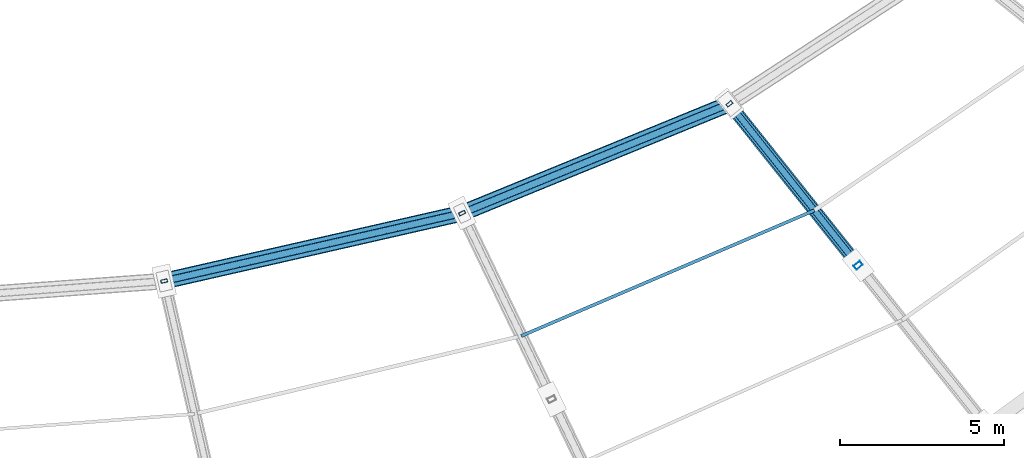
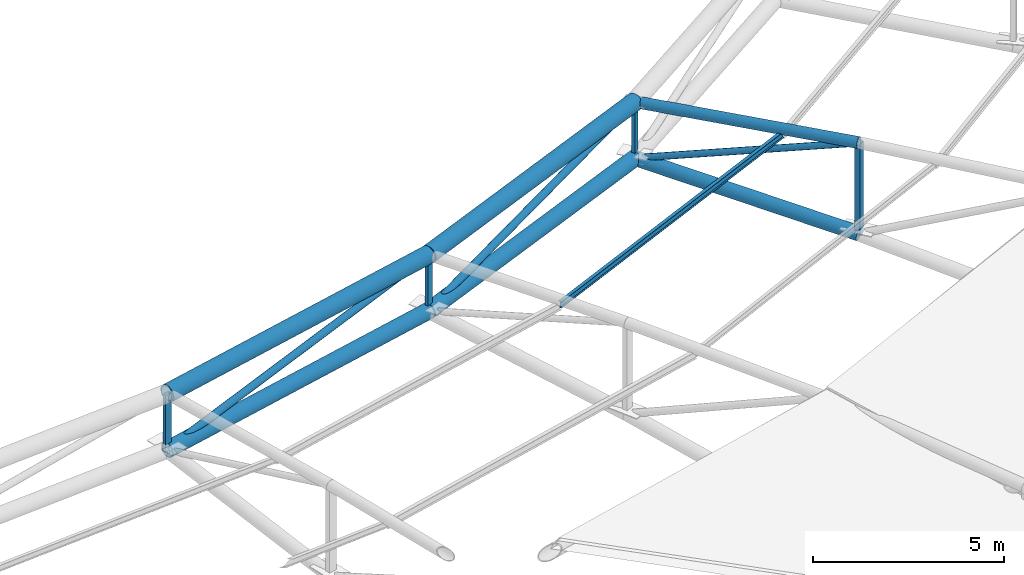
# One storey, part 27 of 108: 14 members.
"""IFC4 building model written with IfcOpenShell, lengths in metres."""

import ifcopenshell
import ifcopenshell.guid

model = None  # the IFC model being written
_history = None  # IfcOwnerHistory: only IFC2X3 demands one
_inside = {}  # id of a spatial element -> (the spatial element, [elements in it])
_under = {}  # id of a project, library or spatial element -> (it, [spatial elements below it])
_declared = {}  # id of a project -> (the project, [libraries it declares])
_typed = {}  # id of a type object -> (the type object, [elements of that type])
_made_of = {}  # id of a material, layer set ... -> (it, [elements and type objects made of it])


def new_model(schema):
    """Start an empty IFC model of exactly this schema.

    Asked for "IFC4X3", IfcOpenShell would pick the latest addendum, in which some entities
    have other attributes; the version numbers below select the first issue.
    IFC2X3 requires an IfcOwnerHistory on every rooted entity: one is made here for all.
    """
    global model, _history
    if schema == "IFC4X3":
        model = ifcopenshell.file(schema_version=(4, 3, 0, 0))
    else:
        model = ifcopenshell.file(schema=schema)
    _inside.clear()
    _under.clear()
    _declared.clear()
    _typed.clear()
    _made_of.clear()
    _history = None
    if model.schema == "IFC2X3":
        org = make("IfcOrganization", Name="unknown")
        user = make(
            "IfcPersonAndOrganization",
            ThePerson=make("IfcPerson", FamilyName="unknown"),
            TheOrganization=org,
        )
        app = make(
            "IfcApplication",
            ApplicationDeveloper=org,
            Version="unknown",
            ApplicationFullName="unknown",
            ApplicationIdentifier="unknown",
        )
        _history = make(
            "IfcOwnerHistory",
            OwningUser=user,
            OwningApplication=app,
            ChangeAction="ADDED",
            CreationDate=0,
        )
    return model


def make(cls, **values):
    """One entity of the class cls with the attributes given. An attribute that is None is left unset."""
    return model.create_entity(
        cls, **{name: value for name, value in values.items() if value is not None}
    )


def rooted(cls, **values):
    """An entity with a GlobalId (a new one), such as an element, a storey or a relation."""
    return make(cls, GlobalId=ifcopenshell.guid.new(), OwnerHistory=_history, **values)


def si_unit(unit_type, name, prefix=None):
    """IfcSIUnit, for example si_unit("LENGTHUNIT", "METRE", prefix="MILLI")."""
    return make("IfcSIUnit", UnitType=unit_type, Prefix=prefix, Name=name)


def assignment(units):
    """IfcUnitAssignment: the units of a project."""
    return None if units is None else make("IfcUnitAssignment", Units=units)


def point(xyz):
    """IfcCartesianPoint."""
    return None if xyz is None else make("IfcCartesianPoint", Coordinates=xyz)


def direction(xyz):
    """IfcDirection."""
    return None if xyz is None else make("IfcDirection", DirectionRatios=xyz)


def frame(location, z_axis=None, x_axis=None):
    """IfcAxis2Placement3D, a coordinate frame: its origin and axes. An axis left out is left unset."""
    return make(
        "IfcAxis2Placement3D",
        Location=point(location),
        Axis=direction(z_axis),
        RefDirection=direction(x_axis),
    )


def frame_2d(location, x_axis=None):
    """IfcAxis2Placement2D, a coordinate frame in the plane: its origin and x axis."""
    return make(
        "IfcAxis2Placement2D", Location=point(location), RefDirection=direction(x_axis)
    )


def origin():
    """The frame at (0, 0, 0) with its axes left unset."""
    return frame((0.0, 0.0, 0.0))


def origin_2d():
    """The frame at (0, 0) in the plane with its x axis left unset."""
    return frame_2d((0.0, 0.0))


def place(relative_to, where):
    """IfcLocalPlacement: puts the frame where relative to a parent placement (None: the world)."""
    return make(
        "IfcLocalPlacement", PlacementRelTo=relative_to, RelativePlacement=where
    )


def context(
    kind, dimensions, precision=None, world=None, true_north=None, identifier=None
):
    """IfcGeometricRepresentationContext, for example the 3D "Model" context."""
    return make(
        "IfcGeometricRepresentationContext",
        ContextIdentifier=identifier,
        ContextType=kind,
        CoordinateSpaceDimension=dimensions,
        Precision=precision,
        WorldCoordinateSystem=world,
        TrueNorth=true_north,
    )


def subcontext(parent, identifier, kind, view, scale=None):
    """IfcGeometricRepresentationSubContext, for example "Body" below "Model"."""
    return make(
        "IfcGeometricRepresentationSubContext",
        ContextIdentifier=identifier,
        ContextType=kind,
        ParentContext=parent,
        TargetScale=scale,
        TargetView=view,
    )


def project(units=None, contexts=None):
    """IfcProject with its units and contexts."""
    return rooted(
        "IfcProject",
        Name="project",
        RepresentationContexts=contexts,
        UnitsInContext=assignment(units),
    )


def spatial(cls, under=None, at=None, **own):
    """A site, building, storey or space (cls), placed at a placement, below another one or the project."""
    s = rooted(cls, ObjectPlacement=at, **own)
    if under is not None:
        _under.setdefault(under.id(), (under, []))[1].append(s)
    return s


def profile(cls, at=None, kind="AREA", **sizes):
    """A parametric profile (cls). Its sizes go by their IFC names, for example OverallWidth=200.0."""
    return make(cls, ProfileType=kind, Position=at, **sizes)


def hollow_rectangle(**sizes):
    """IfcRectangleHollowProfileDef."""
    return profile("IfcRectangleHollowProfileDef", **sizes)


def hollow_circle(**sizes):
    """IfcCircleHollowProfileDef."""
    return profile("IfcCircleHollowProfileDef", **sizes)


def i_section(**sizes):
    """IfcIShapeProfileDef."""
    return profile("IfcIShapeProfileDef", **sizes)


def extrude(swept, where, along, depth):
    """IfcExtrudedAreaSolid: the profile swept, set in the frame where, extruded along a direction by depth."""
    return make(
        "IfcExtrudedAreaSolid",
        SweptArea=swept,
        Position=where,
        ExtrudedDirection=direction(along),
        Depth=depth,
    )


def shape(context_of_items, identifier, shape_type, items):
    """IfcShapeRepresentation: the items that make up one representation, for example the "Body"."""
    return make(
        "IfcShapeRepresentation",
        ContextOfItems=context_of_items,
        RepresentationIdentifier=identifier,
        RepresentationType=shape_type,
        Items=items,
    )


def material(Name=None, Category=None):
    """IfcMaterial."""
    return make("IfcMaterial", Name=Name, Category=Category)


def material_profile(
    of_material, cross_section, Name=None, Category=None, Priority=None
):
    """IfcMaterialProfile: a cross section and its material."""
    return make(
        "IfcMaterialProfile",
        Name=Name,
        Material=of_material,
        Profile=cross_section,
        Priority=Priority,
        Category=Category,
    )


def profile_set(profiles, Name=None, composite=None):
    """IfcMaterialProfileSet."""
    return make(
        "IfcMaterialProfileSet",
        Name=Name,
        MaterialProfiles=profiles,
        CompositeProfile=composite,
    )


def made_of(thing, what):
    """Note that an element or type object is made of a material, layer set ...; save() writes the relation."""
    if what is not None:
        _made_of.setdefault(what.id(), (what, []))[1].append(thing)
    return thing


def type_object(cls, material=None, **own):
    """A type object (cls), such as IfcWallType, which elements share."""
    return made_of(rooted(cls, **own), material)


def element(
    cls,
    number,
    at=None,
    inside=None,
    cuts=None,
    type_object=None,
    material=None,
    context=None,
    identifier="Body",
    shape_type=None,
    held_by="IfcProductDefinitionShape",
    body=None,
    shapes=None,
    **own,
):
    """One element of the class cls, such as IfcWall. Its Tag is "e" and its number.

    at: its placement. inside: the storey or other place that contains it. cuts: it is an
    opening in that element (IfcRelVoidsElement). A single representation is given by context,
    identifier, shape_type and body (its items); several are given by shapes. held_by: the class
    of the entity that holds the representations. save() writes the other relations.
    """
    e = rooted(cls, Tag="e%d" % number, ObjectPlacement=at, **own)
    if body is not None:
        shapes = [shape(context, identifier, shape_type, body)]
    if shapes is not None:
        e.Representation = make(held_by, Representations=shapes)
    if inside is not None:
        _inside.setdefault(inside.id(), (inside, []))[1].append(e)
    if cuts is not None:
        rooted(
            "IfcRelVoidsElement", RelatingBuildingElement=cuts, RelatedOpeningElement=e
        )
    if type_object is not None:
        _typed.setdefault(type_object.id(), (type_object, []))[1].append(e)
    return made_of(e, material)


def aggregate(whole, parts):
    """IfcRelAggregates: a whole, such as a stair, and the parts it consists of."""
    return rooted("IfcRelAggregates", RelatingObject=whole, RelatedObjects=parts)


def save(model, path):
    """Write the relations noted so far, then the file.

    IfcRelAggregates (storeys below a building ...), IfcRelContainedInSpatialStructure (elements
    in a storey), IfcRelDefinesByType, IfcRelAssociatesMaterial and IfcRelDeclares: one each for
    every whole, place, type object, material and project.
    """
    for whole, parts in _under.values():
        aggregate(whole, parts)
    for where, things in _inside.values():
        rooted(
            "IfcRelContainedInSpatialStructure",
            RelatedElements=things,
            RelatingStructure=where,
        )
    for kind, things in _typed.values():
        rooted("IfcRelDefinesByType", RelatedObjects=things, RelatingType=kind)
    for what, things in _made_of.values():
        rooted("IfcRelAssociatesMaterial", RelatedObjects=things, RelatingMaterial=what)
    for by, libraries in _declared.values():
        rooted("IfcRelDeclares", RelatingContext=by, RelatedDefinitions=libraries)
    model.write(path)


model = new_model("IFC4")

# Units and contexts
model_context = context("Model", 3, precision=1e-05, world=origin(), true_north=direction((0.0, 1.0)))
body_context = subcontext(model_context, "Body", "Model", "MODEL_VIEW")
ifc_project = project(units=[si_unit("LENGTHUNIT", "METRE"), si_unit("AREAUNIT", "SQUARE_METRE"), si_unit("VOLUMEUNIT", "CUBIC_METRE"), si_unit("PLANEANGLEUNIT", "RADIAN"), si_unit("MASSUNIT", "GRAM", prefix="KILO")], contexts=[model_context])

# Site, building, storey
site_placement = place(None, origin())
site = spatial("IfcSite", under=ifc_project, at=site_placement, CompositionType="ELEMENT")
building_placement = place(site_placement, origin())
building = spatial("IfcBuilding", under=site, at=building_placement, Name="Zevraka Park Crest Stadium", CompositionType="ELEMENT")
storey_placement = place(building_placement, frame((0.0, 0.0, 29.39990234375)))
storey = spatial("IfcBuildingStorey", under=building, at=storey_placement, Name="RF", CompositionType="ELEMENT", Elevation=29.39990234375)

# Members
ifc_material_1 = material(Name="Steel S355", Category="steel")
ifc_material_profile_1 = material_profile(ifc_material_1, i_section(OverallWidth=0.10009765625, OverallDepth=0.199951171875, WebThickness=0.005615234375, FlangeThickness=0.008544921875, at=origin_2d()), Name="IPE 200")
ifc_profile_set_1 = profile_set([ifc_material_profile_1], Name="Steel S355")
member_type_1 = type_object("IfcMemberType", Name="PR03", PredefinedType="PURLIN", material=ifc_profile_set_1)
member_1_placement = place(storey_placement, frame((132.4609375, 63.027099609375, 9.037109375), z_axis=(0.919186567442, 0.393822363808, 0.0), x_axis=(-0.393822363808, 0.919186567442, 0.0)))
element("IfcMember", 1, at=member_1_placement, inside=storey, type_object=member_type_1, Name="Canopy Roof Purlin PR03 INNER-24-2", PredefinedType="PURLIN", context=body_context, shape_type="SweptSolid", body=[
    extrude(i_section(OverallWidth=0.10009765625, OverallDepth=0.199951171875, WebThickness=0.005615234375, FlangeThickness=0.008544921875, at=origin_2d()), origin(), (0.0, 0.0, 1.0), 9.727294921875),
])
ifc_material_2 = material(Name="Steel S355", Category="steel")
ifc_material_profile_2 = material_profile(ifc_material_2, hollow_circle(Radius=0.25390625, WallThickness=0.030029296875, at=origin_2d()), Name="CHS 508.0x30")
ifc_profile_set_2 = profile_set([ifc_material_profile_2], Name="Steel S355")
member_type_2 = type_object("IfcMemberType", Name="TC01", PredefinedType="CHORD", material=ifc_profile_set_2)
member_2_placement = place(storey_placement, frame((121.568115234375, 64.701904296875, 9.0), z_axis=(0.975007666978, 0.222171216261, 0.0), x_axis=(-0.222171216261, 0.975007666978, 0.0)))
element("IfcMember", 2, at=member_2_placement, inside=storey, type_object=member_type_2, Name="Roof Inner Oculus Compression-Tension Ring TC01 23", PredefinedType="CHORD", context=body_context, shape_type="SweptSolid", body=[
    extrude(hollow_circle(Radius=0.25390625, WallThickness=0.030029296875, at=origin_2d()), origin(), (0.0, 0.0, 1.0), 9.32177734375),
])
member_3_placement = place(storey_placement, frame((130.656982421875, 66.77294921875, 9.0), z_axis=(0.925523556588, 0.378690039743, 0.0), x_axis=(-0.378690039743, 0.925523556588, 0.0)))
element("IfcMember", 3, at=member_3_placement, inside=storey, type_object=member_type_2, Name="Roof Inner Oculus Compression-Tension Ring TC01 24", PredefinedType="CHORD", context=body_context, shape_type="SweptSolid", body=[
    extrude(hollow_circle(Radius=0.25390625, WallThickness=0.030029296875, at=origin_2d()), origin(), (0.0, 0.0, 1.0), 8.80908203125),
])
ifc_material_3 = material(Name="Steel S355", Category="steel")
ifc_material_profile_3 = material_profile(ifc_material_3, hollow_circle(Radius=0.228515625, WallThickness=0.02490234375, at=origin_2d()), Name="CHS 457.0x25")
ifc_profile_set_3 = profile_set([ifc_material_profile_3], Name="Steel S355")
member_type_3 = type_object("IfcMemberType", Name="TC02", PredefinedType="CHORD", material=ifc_profile_set_3)
member_4_placement = place(storey_placement, frame((121.568115234375, 64.701904296875, 7.2001953125), z_axis=(0.975007666978, 0.222171216261, 0.0), x_axis=(-0.222171216261, 0.975007666978, 0.0)))
element("IfcMember", 4, at=member_4_placement, inside=storey, type_object=member_type_3, Name="Roof Inner Oculus Bottom Ring TC02 23", PredefinedType="CHORD", context=body_context, shape_type="SweptSolid", body=[
    extrude(hollow_circle(Radius=0.228515625, WallThickness=0.02490234375, at=origin_2d()), origin(), (0.0, 0.0, 1.0), 9.32177734375),
])
member_5_placement = place(storey_placement, frame((130.656982421875, 66.77294921875, 7.2001953125), z_axis=(0.925523556588, 0.378690039743, 0.0), x_axis=(-0.378690039743, 0.925523556588, 0.0)))
element("IfcMember", 5, at=member_5_placement, inside=storey, type_object=member_type_3, Name="Roof Inner Oculus Bottom Ring TC02 24", PredefinedType="CHORD", context=body_context, shape_type="SweptSolid", body=[
    extrude(hollow_circle(Radius=0.228515625, WallThickness=0.02490234375, at=origin_2d()), origin(), (0.0, 0.0, 1.0), 8.80908203125),
])
ifc_material_4 = material(Name="Steel S355", Category="steel")
ifc_material_profile_4 = material_profile(ifc_material_4, hollow_circle(Radius=0.203125, WallThickness=0.02001953125, at=origin_2d()), Name="CHS 406.4x20")
ifc_profile_set_4 = profile_set([ifc_material_profile_4], Name="Steel S355")
member_type_4 = type_object("IfcMemberType", Name="TC03", PredefinedType="CHORD", material=ifc_profile_set_4)
member_6_placement = place(storey_placement, frame((142.738037109375, 65.18310546875, 6.400146484375), z_axis=(-0.618503261421, 0.775618236213, 0.125976455198), x_axis=(-0.781847030375, -0.623470304902, 0.0)))
element("IfcMember", 6, at=member_6_placement, inside=storey, type_object=member_type_4, Name="Roof Truss Bottom Chord TC03 T25-7", PredefinedType="CHORD", context=body_context, shape_type="SweptSolid", body=[
    extrude(hollow_circle(Radius=0.203125, WallThickness=0.02001953125, at=origin_2d()), origin(), (0.0, 0.0, 1.0), 6.350830078125),
])
ifc_material_5 = material(Name="Steel S355", Category="steel")
ifc_material_profile_5 = material_profile(ifc_material_5, hollow_circle(Radius=0.161865234375, WallThickness=0.01611328125, at=origin_2d()), Name="CHS 323.9x16")
ifc_profile_set_5 = profile_set([ifc_material_profile_5], Name="Steel S355")
member_type_5 = type_object("IfcMemberType", Name="TC04", PredefinedType="CHORD", material=ifc_profile_set_5)
member_7_placement = place(storey_placement, frame((142.738037109375, 65.18310546875, 9.300048828125), z_axis=(-0.622764434517, 0.780961851627, -0.047571476787), x_axis=(-0.781847030375, -0.623470304902, 0.0)))
element("IfcMember", 7, at=member_7_placement, inside=storey, type_object=member_type_5, Name="Roof Truss Top Chord TC04 T25-7", PredefinedType="CHORD", context=body_context, shape_type="SweptSolid", body=[
    extrude(hollow_circle(Radius=0.161865234375, WallThickness=0.01611328125, at=origin_2d()), origin(), (0.0, 0.0, 1.0), 6.307373046875),
])
ifc_material_6 = material(Name="Steel S355", Category="steel")
ifc_material_profile_6 = material_profile(ifc_material_6, hollow_circle(Radius=0.109619140625, WallThickness=0.010009765625, at=origin_2d()), Name="CHS 219.1x10")
ifc_profile_set_6 = profile_set([ifc_material_profile_6], Name="Steel S355")
member_type_6 = type_object("IfcMemberType", Name="WB02", PredefinedType="BRACE", material=ifc_profile_set_6)
member_8_placement = place(storey_placement, frame((121.568115234375, 64.701904296875, 7.2001953125), z_axis=(0.957327517697, 0.218142509203, 0.189572860762), x_axis=(-0.222171216261, 0.975007666978, 0.0)))
element("IfcMember", 8, at=member_8_placement, inside=storey, type_object=member_type_6, Name="Roof Oculus Ring Brace WB02 23", PredefinedType="BRACE", context=body_context, shape_type="SweptSolid", body=[
    extrude(hollow_circle(Radius=0.109619140625, WallThickness=0.010009765625, at=origin_2d()), origin(), (0.0, 0.0, 1.0), 9.493896484375),
])
member_9_placement = place(storey_placement, frame((130.656982421875, 66.77294921875, 7.2001953125), z_axis=(0.906790998807, 0.371025369298, 0.200175572487), x_axis=(-0.378690039743, 0.925523556588, 0.0)))
element("IfcMember", 9, at=member_9_placement, inside=storey, type_object=member_type_6, Name="Roof Oculus Ring Brace WB02 24", PredefinedType="BRACE", context=body_context, shape_type="SweptSolid", body=[
    extrude(hollow_circle(Radius=0.109619140625, WallThickness=0.010009765625, at=origin_2d()), origin(), (0.0, 0.0, 1.0), 8.9912109375),
])
ifc_material_7 = material(Name="Steel S355", Category="steel")
ifc_material_profile_7 = material_profile(ifc_material_7, hollow_rectangle(XDim=0.14990234375, YDim=0.25, WallThickness=0.010009765625, at=origin_2d()), Name="RHS 250x150x10")
ifc_profile_set_7 = profile_set([ifc_material_profile_7], Name="Steel S355")
member_type_7 = type_object("IfcMemberType", Name="WB04", PredefinedType="BRACE", material=ifc_profile_set_7)
member_10_placement = place(storey_placement, frame((142.738037109375, 65.18310546875, 6.400146484375), z_axis=(0.0, 0.0, 1.0), x_axis=(-0.623470308046, 0.781847027868, 0.0)))
element("IfcMember", 10, at=member_10_placement, inside=storey, type_object=member_type_7, Name="Roof Truss Web Post WB04 T25-6", PredefinedType="BRACE", context=body_context, shape_type="SweptSolid", body=[
    extrude(hollow_rectangle(XDim=0.14990234375, YDim=0.25, WallThickness=0.010009765625, at=origin_2d()), origin(), (0.0, 0.0, 1.0), 2.89990234375),
])
ifc_material_8 = material(Name="Steel S355", Category="steel")
ifc_material_profile_8 = material_profile(ifc_material_8, hollow_rectangle(XDim=0.10009765625, YDim=0.199951171875, WallThickness=0.008056640625, at=origin_2d()), Name="RHS 200x100x8")
ifc_profile_set_8 = profile_set([ifc_material_profile_8], Name="Steel S355")
member_type_8 = type_object("IfcMemberType", Name="WB05", PredefinedType="BRACE", material=ifc_profile_set_8)
for number, where, z_axis, x_axis, name in (
    (11, (121.568115234375, 64.701904296875, 7.2001953125), (0.0, 0.0, 1.0), (-0.222569549971, 0.974916814618, 0.0), "Roof Truss Web Post WB05 T23-7"),
    (12, (130.656982421875, 66.77294921875, 7.2001953125), (0.0, 0.0, 1.0), (-0.43381634559, 0.90100131981, 0.0), "Roof Truss Web Post WB05 T24-7"),
    (13, (138.81005859375, 70.10888671875, 7.2001953125), (0.0, 0.0, 1.0), (-0.623470308046, 0.781847027868, 0.0), "Roof Truss Web Post WB05 T25-7"),
):
    element("IfcMember", number, at=place(storey_placement, frame(where, z_axis=z_axis, x_axis=x_axis)), inside=storey, type_object=member_type_8, Name=name, PredefinedType="BRACE", context=body_context, shape_type="SweptSolid", body=[
        extrude(hollow_rectangle(XDim=0.10009765625, YDim=0.199951171875, WallThickness=0.008056640625, at=origin_2d()), origin(), (0.0, 0.0, 1.0), 1.7998046875),
    ])
ifc_material_9 = material(Name="Steel S355", Category="steel")
ifc_material_profile_9 = material_profile(ifc_material_9, hollow_circle(Radius=0.096923828125, WallThickness=0.010009765625, at=origin_2d()), Name="CHS 193.7x10")
ifc_profile_set_9 = profile_set([ifc_material_profile_9], Name="Steel S355")
member_type_9 = type_object("IfcMemberType", Name="WB08", PredefinedType="BRACE", material=ifc_profile_set_9)
member_11_placement = place(storey_placement, frame((138.81005859375, 70.10888671875, 7.2001953125), z_axis=(0.591481731202, -0.741732575594, 0.316199538198), x_axis=(0.781847030375, 0.623470304902, 0.0)))
element("IfcMember", 14, at=member_11_placement, inside=storey, type_object=member_type_9, Name="Roof Truss Web Diagonal WB08 T25-7", PredefinedType="BRACE", context=body_context, shape_type="SweptSolid", body=[
    extrude(hollow_circle(Radius=0.096923828125, WallThickness=0.010009765625, at=origin_2d()), origin(), (0.0, 0.0, 1.0), 6.640869140625),
])

save(model, "model.ifc")
